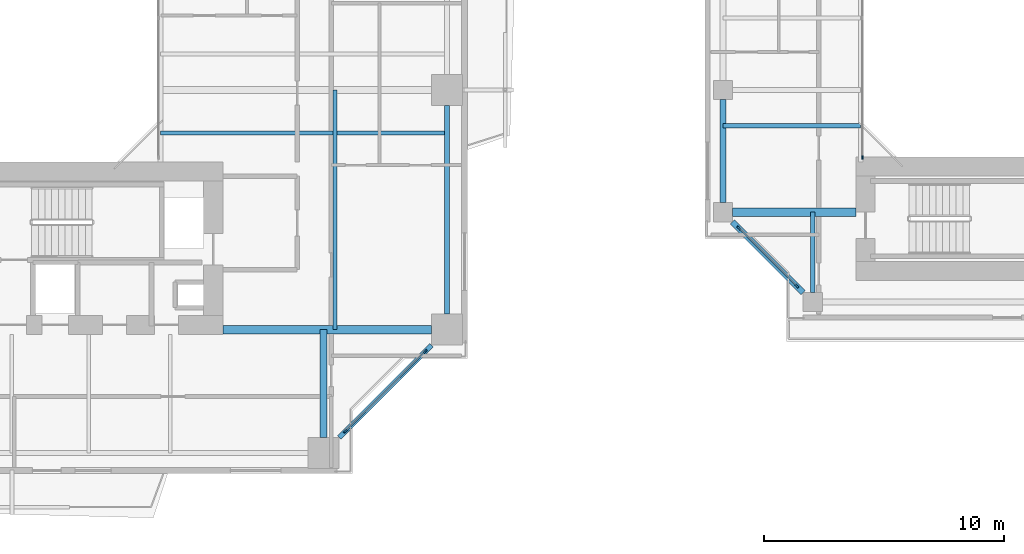
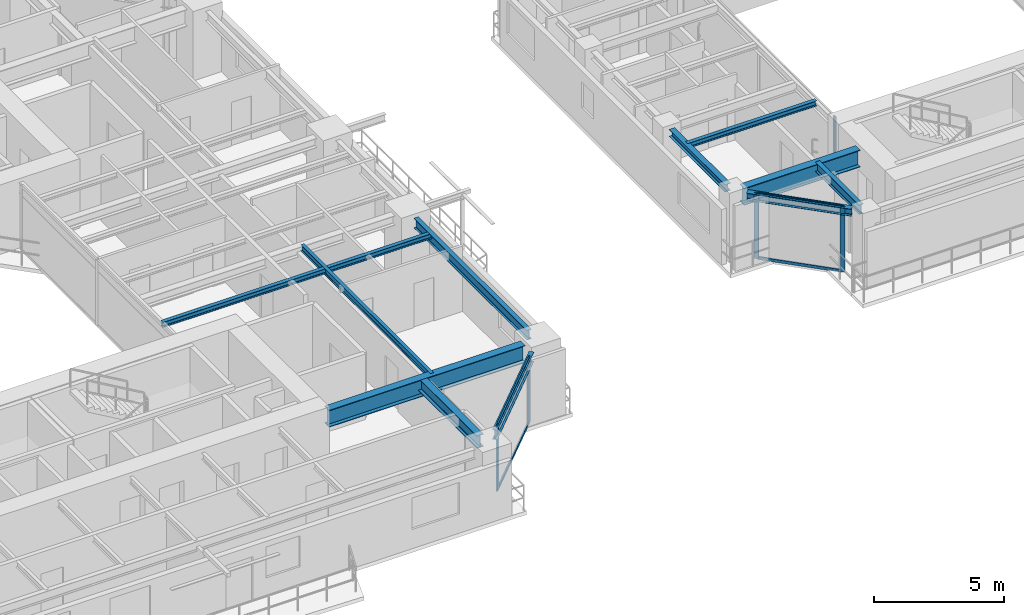
# One storey, part 5 of 24: 11 beams, 9 members, 3 elements without a shape of their own.
"""IFC4 building model written with IfcOpenShell, lengths in metres."""

from ifc_helpers import new_model, si_unit, direction, frame, origin, origin_2d, place, context, subcontext, project, spatial, rectangle, i_section, extrude, source, transform, mapped, material, layer, layer_set, material_profile, profile_set, type_object, element, aggregate, save


model = new_model("IFC4")

# Units and contexts
model_context = context("Model", 3, precision=1e-05, world=origin(), true_north=direction((0.0, 1.0)))
body_context = subcontext(model_context, "Body", "Model", "MODEL_VIEW")
ifc_project = project(units=[si_unit("LENGTHUNIT", "METRE"), si_unit("AREAUNIT", "SQUARE_METRE"), si_unit("VOLUMEUNIT", "CUBIC_METRE"), si_unit("PLANEANGLEUNIT", "RADIAN"), si_unit("MASSUNIT", "GRAM", prefix="KILO"), si_unit("THERMODYNAMICTEMPERATUREUNIT", "KELVIN"), si_unit("POWERUNIT", "WATT")], contexts=[model_context])

# Site, building, storey
site_placement = place(None, origin())
site = spatial("IfcSite", under=ifc_project, at=site_placement, CompositionType="ELEMENT")
building_placement = place(site_placement, origin())
building = spatial("IfcBuilding", under=site, at=building_placement, Name="Qiaomeng Ring Towers", CompositionType="ELEMENT")
storey_placement = place(building_placement, frame((0.0, 0.0, 69.75)))
storey = spatial("IfcBuildingStorey", under=building, at=storey_placement, Name="L19", CompositionType="ELEMENT", Elevation=69.75)

# Beams
ifc_material_1 = material(Name="Steel Q355B", Category="steel")
ifc_material_profile_1 = material_profile(ifc_material_1, i_section(OverallWidth=0.199951171875, OverallDepth=0.449951171875, WebThickness=0.009033203125, FlangeThickness=0.013916015625, FilletRadius=0.01806640625, at=origin_2d()), Name="HN 450x200x9x14")
ifc_profile_set_1 = profile_set([ifc_material_profile_1], Name="Steel Q355B")
beam_type_1 = type_object("IfcBeamType", Name="STR-BM-HN450", PredefinedType="SPANDREL", material=ifc_profile_set_1)
shared_shape_1 = source(origin(), body_context, "Body", "SweptSolid", [
    extrude(i_section(OverallWidth=0.199951171875, OverallDepth=0.449951171875, WebThickness=0.009033203125, FlangeThickness=0.013916015625, FilletRadius=0.01806640625, at=origin_2d()), origin(), (0.0, 0.0, 1.0), 5.446533203125),
])
beam_1_placement = place(storey_placement, frame((32.6494140625, 5.499267578125, 2.844970703125), z_axis=(0.707106781187, 0.707106781187, 0.0), x_axis=(-0.707106781187, 0.707106781187, 0.0)))
element("IfcBeam", 1, at=beam_1_placement, inside=storey, type_object=beam_type_1, Name="L19 beam STR-SP-L19-T1-S2-E1", PredefinedType="SPANDREL", context=body_context, shape_type="MappedRepresentation", body=[
    mapped(shared_shape_1, transform((0.0, 0.0, 0.0), x_axis=(1.0, 0.0, 0.0), y_axis=(0.0, 1.0, 0.0), z_axis=(0.0, 0.0, 1.0), scale=1.0)),
])
shared_shape_2 = source(origin(), body_context, "Body", "SweptSolid", [
    extrude(i_section(OverallWidth=0.199951171875, OverallDepth=0.449951171875, WebThickness=0.009033203125, FlangeThickness=0.013916015625, FilletRadius=0.01806640625, at=origin_2d()), origin(), (0.0, 0.0, 1.0), 8.7021484375),
])
beam_2_placement = place(storey_placement, frame((37.14990234375, 10.64892578125, 2.844970703125), z_axis=(0.0, 1.0, 0.0), x_axis=(-1.0, 0.0, 0.0)))
element("IfcBeam", 2, at=beam_2_placement, inside=storey, type_object=beam_type_1, Name="L19 beam STR-SP-L19-T1-E1-E2", PredefinedType="SPANDREL", context=body_context, shape_type="MappedRepresentation", body=[
    mapped(shared_shape_2, transform((0.0, 0.0, 0.0), x_axis=(1.0, 0.0, 0.0), y_axis=(0.0, 1.0, 0.0), z_axis=(0.0, 0.0, 1.0), scale=1.0)),
])
ifc_material_2 = material(Name="Steel Q390GJC", Category="steel")
ifc_material_profile_2 = material_profile(ifc_material_2, i_section(OverallWidth=0.35009765625, OverallDepth=0.800048828125, WebThickness=0.01611328125, FlangeThickness=0.028076171875, at=origin_2d()), Name="WH 800x350x16x28")
ifc_profile_set_2 = profile_set([ifc_material_profile_2], Name="Steel Q390GJC")
beam_type_2 = type_object("IfcBeamType", Name="STR-BM-WH800", PredefinedType="BEAM", material=ifc_profile_set_2)
shared_shape_3 = source(origin(), body_context, "Body", "SweptSolid", [
    extrude(i_section(OverallWidth=0.35009765625, OverallDepth=0.800048828125, WebThickness=0.01611328125, FlangeThickness=0.028076171875, at=origin_2d()), origin(), (0.0, 0.0, 1.0), 8.700927734375),
])
beam_3_placement = place(storey_placement, frame((27.800048828125, 10.0, 2.669921875), z_axis=(1.0, 0.0, 0.0), x_axis=(0.0, 1.0, 0.0)))
element("IfcBeam", 3, at=beam_3_placement, inside=storey, type_object=beam_type_2, Name="L19 beam STR-BM-L19-T1-RAD-E1", PredefinedType="BEAM", context=body_context, shape_type="MappedRepresentation", body=[
    mapped(shared_shape_3, transform((0.0, 0.0, 0.0), x_axis=(1.0, 0.0, 0.0), y_axis=(0.0, 1.0, 0.0), z_axis=(0.0, 0.0, 1.0), scale=1.0)),
])
ifc_material_profile_3 = material_profile(ifc_material_1, i_section(OverallWidth=0.300048828125, OverallDepth=0.587890625, WebThickness=0.011962890625, FlangeThickness=0.02001953125, FilletRadius=0.028076171875, at=origin_2d()), Name="HM 588x300x12x20")
ifc_profile_set_3 = profile_set([ifc_material_profile_3], Name="Steel Q355B")
beam_type_3 = type_object("IfcBeamType", Name="STR-BM-HM588", PredefinedType="BEAM", material=ifc_profile_set_3)
shared_shape_4 = source(origin(), body_context, "Body", "SweptSolid", [
    extrude(i_section(OverallWidth=0.300048828125, OverallDepth=0.587890625, WebThickness=0.011962890625, FlangeThickness=0.02001953125, FilletRadius=0.028076171875, at=origin_2d()), origin(), (0.0, 0.0, 1.0), 4.5009765625),
])
beam_4_placement = place(storey_placement, frame((32.0, 5.4990234375, 2.77587890625), z_axis=(0.0, 1.0, 0.0), x_axis=(-1.0, 0.0, 0.0)))
element("IfcBeam", 4, at=beam_4_placement, inside=storey, type_object=beam_type_3, Name="L19 beam STR-BM-L19-T1-RAD-S2", PredefinedType="BEAM", context=body_context, shape_type="MappedRepresentation", body=[
    mapped(shared_shape_4, transform((0.0, 0.0, 0.0), x_axis=(1.0, 0.0, 0.0), y_axis=(0.0, 1.0, 0.0), z_axis=(0.0, 0.0, 1.0), scale=1.0)),
])
ifc_material_profile_4 = material_profile(ifc_material_1, i_section(OverallWidth=0.175048828125, OverallDepth=0.243896484375, WebThickness=0.007080078125, FlangeThickness=0.010986328125, FilletRadius=0.01611328125, at=origin_2d()), Name="HM 244x175x7x11")
ifc_profile_set_4 = profile_set([ifc_material_profile_4], Name="Steel Q355B")
beam_type_4 = type_object("IfcBeamType", Name="STR-BM-HM244", PredefinedType="JOIST", material=ifc_profile_set_4)
shared_shape_5 = source(origin(), body_context, "Body", "SweptSolid", [
    extrude(i_section(OverallWidth=0.175048828125, OverallDepth=0.243896484375, WebThickness=0.007080078125, FlangeThickness=0.010986328125, FilletRadius=0.01611328125, at=origin_2d()), origin(), (0.0, 0.0, 1.0), 11.949951171875),
])
beam_5_placement = place(storey_placement, frame((25.199951171875, 18.199951171875, 2.947998046875), z_axis=(1.0, 0.0, 0.0), x_axis=(0.0, 1.0, 0.0)))
element("IfcBeam", 5, at=beam_5_placement, inside=storey, type_object=beam_type_4, Name="L19 beam STR-JST-L19-T1E-1", PredefinedType="JOIST", context=body_context, shape_type="MappedRepresentation", body=[
    mapped(shared_shape_5, transform((0.0, 0.0, 0.0), x_axis=(1.0, 0.0, 0.0), y_axis=(0.0, 1.0, 0.0), z_axis=(0.0, 0.0, 1.0), scale=1.0)),
])
ifc_material_profile_5 = material_profile(ifc_material_1, i_section(OverallWidth=0.14990234375, OverallDepth=0.300048828125, WebThickness=0.006591796875, FlangeThickness=0.009033203125, FilletRadius=0.012939453125, at=origin_2d()), Name="HN 300x150x6.5x9")
ifc_profile_set_5 = profile_set([ifc_material_profile_5], Name="Steel Q355B")
beam_type_5 = type_object("IfcBeamType", Name="STR-BM-HN300", PredefinedType="JOIST", material=ifc_profile_set_5)
shared_shape_6 = source(origin(), body_context, "Body", "SweptSolid", [
    extrude(i_section(OverallWidth=0.14990234375, OverallDepth=0.300048828125, WebThickness=0.006591796875, FlangeThickness=0.009033203125, FilletRadius=0.012939453125, at=origin_2d()), origin(), (0.0, 0.0, 1.0), 10.0),
])
beam_6_placement = place(storey_placement, frame((32.47509765625, 10.0, 2.919921875), z_axis=(0.0, 1.0, 0.0), x_axis=(-1.0, 0.0, 0.0)))
element("IfcBeam", 6, at=beam_6_placement, inside=storey, type_object=beam_type_5, Name="L19 beam STR-JST-L19-T1C-ES", PredefinedType="JOIST", context=body_context, shape_type="MappedRepresentation", body=[
    mapped(shared_shape_6, transform((0.0, 0.0, 0.0), x_axis=(1.0, 0.0, 0.0), y_axis=(0.0, 1.0, 0.0), z_axis=(0.0, 0.0, 1.0), scale=1.0)),
])
ifc_material_profile_6 = material_profile(ifc_material_1, i_section(OverallWidth=0.25, OverallDepth=0.340087890625, WebThickness=0.009033203125, FlangeThickness=0.013916015625, FilletRadius=0.02001953125, at=origin_2d()), Name="HM 340x250x9x14")
ifc_profile_set_6 = profile_set([ifc_material_profile_6], Name="Steel Q355B")
beam_type_6 = type_object("IfcBeamType", Name="STR-BM-HM340", PredefinedType="SPANDREL", material=ifc_profile_set_6)
shared_shape_7 = source(origin(), body_context, "Body", "SweptSolid", [
    extrude(i_section(OverallWidth=0.25, OverallDepth=0.340087890625, WebThickness=0.009033203125, FlangeThickness=0.013916015625, FilletRadius=0.02001953125, at=origin_2d()), origin(), (0.0, 0.0, 1.0), 4.173828125),
])
beam_7_placement = place(storey_placement, frame((49.04931640625, 14.500732421875, 2.89990234375), z_axis=(0.707106781187, -0.707106781187, 0.0), x_axis=(0.707106781187, 0.707106781187, 0.0)))
element("IfcBeam", 7, at=beam_7_placement, inside=storey, type_object=beam_type_6, Name="L19 beam STR-SP-L19-T2-W1-S1", PredefinedType="SPANDREL", context=body_context, shape_type="MappedRepresentation", body=[
    mapped(shared_shape_7, transform((0.0, 0.0, 0.0), x_axis=(1.0, 0.0, 0.0), y_axis=(0.0, 1.0, 0.0), z_axis=(0.0, 0.0, 1.0), scale=1.0)),
])
shared_shape_8 = source(origin(), body_context, "Body", "SweptSolid", [
    extrude(i_section(OverallWidth=0.25, OverallDepth=0.340087890625, WebThickness=0.009033203125, FlangeThickness=0.013916015625, FilletRadius=0.02001953125, at=origin_2d()), origin(), (0.0, 0.0, 1.0), 4.302001953125),
])
beam_8_placement = place(storey_placement, frame((48.64990234375, 19.60107421875, 2.89990234375), z_axis=(0.0, -1.0, 0.0), x_axis=(1.0, 0.0, 0.0)))
element("IfcBeam", 8, at=beam_8_placement, inside=storey, type_object=beam_type_6, Name="L19 beam STR-SP-L19-T2-W2-W1", PredefinedType="SPANDREL", context=body_context, shape_type="MappedRepresentation", body=[
    mapped(shared_shape_8, transform((0.0, 0.0, 0.0), x_axis=(1.0, 0.0, 0.0), y_axis=(0.0, 1.0, 0.0), z_axis=(0.0, 0.0, 1.0), scale=1.0)),
])
shared_shape_9 = source(origin(), body_context, "Body", "SweptSolid", [
    extrude(i_section(OverallWidth=0.35009765625, OverallDepth=0.800048828125, WebThickness=0.01611328125, FlangeThickness=0.028076171875, at=origin_2d()), origin(), (0.0, 0.0, 1.0), 5.15087890625),
])
beam_9_placement = place(storey_placement, frame((49.049072265625, 14.89990234375, 2.669921875), z_axis=(1.0, 0.0, 0.0), x_axis=(0.0, 1.0, 0.0)))
element("IfcBeam", 9, at=beam_9_placement, inside=storey, type_object=beam_type_2, Name="L19 beam STR-BM-L19-T2-RAD-W1", PredefinedType="BEAM", context=body_context, shape_type="MappedRepresentation", body=[
    mapped(shared_shape_9, transform((0.0, 0.0, 0.0), x_axis=(1.0, 0.0, 0.0), y_axis=(0.0, 1.0, 0.0), z_axis=(0.0, 0.0, 1.0), scale=1.0)),
])
shared_shape_10 = source(origin(), body_context, "Body", "SweptSolid", [
    extrude(i_section(OverallWidth=0.199951171875, OverallDepth=0.449951171875, WebThickness=0.009033203125, FlangeThickness=0.013916015625, FilletRadius=0.01806640625, at=origin_2d()), origin(), (0.0, 0.0, 1.0), 3.350830078125),
])
beam_10_placement = place(storey_placement, frame((52.39990234375, 11.549072265625, 2.844970703125), z_axis=(0.0, 1.0, 0.0), x_axis=(-1.0, 0.0, 0.0)))
element("IfcBeam", 10, at=beam_10_placement, inside=storey, type_object=beam_type_1, Name="L19 beam STR-BM-L19-T2-RAD-S1", PredefinedType="SPANDREL", context=body_context, shape_type="MappedRepresentation", body=[
    mapped(shared_shape_10, transform((0.0, 0.0, 0.0), x_axis=(1.0, 0.0, 0.0), y_axis=(0.0, 1.0, 0.0), z_axis=(0.0, 0.0, 1.0), scale=1.0)),
])
shared_shape_11 = source(origin(), body_context, "Body", "SweptSolid", [
    extrude(i_section(OverallWidth=0.175048828125, OverallDepth=0.243896484375, WebThickness=0.007080078125, FlangeThickness=0.010986328125, FilletRadius=0.01611328125, at=origin_2d()), origin(), (0.0, 0.0, 1.0), 5.75),
])
beam_11_placement = place(storey_placement, frame((48.64990234375, 18.5, 2.947998046875), z_axis=(1.0, 0.0, 0.0), x_axis=(0.0, 1.0, 0.0)))
element("IfcBeam", 11, at=beam_11_placement, inside=storey, type_object=beam_type_4, Name="L19 beam STR-JST-L19-T2W-1", PredefinedType="JOIST", context=body_context, shape_type="MappedRepresentation", body=[
    mapped(shared_shape_11, transform((0.0, 0.0, 0.0), x_axis=(1.0, 0.0, 0.0), y_axis=(0.0, 1.0, 0.0), z_axis=(0.0, 0.0, 1.0), scale=1.0)),
])

# Curtain wall, member
ifc_material_3 = material(Name="Fluorocarbon dark-grey aluminium", Category="aluminium")
ifc_layer_1 = layer(ifc_material_3, 0.139892578125, Name="Fluorocarbon dark-grey aluminium")
ifc_layer_set_1 = layer_set([ifc_layer_1], Name="Fluorocarbon dark-grey aluminium")
curtain_wall_type_1 = type_object("IfcCurtainWallType", Name="ARC-CW-4", PredefinedType="NOTDEFINED", material=ifc_layer_set_1)
curtain_wall_1_placement = place(storey_placement, origin())
curtain_wall_1 = element("IfcCurtainWall", 12, at=curtain_wall_1_placement, inside=storey, type_object=curtain_wall_type_1, Name="L19 Curtain Wall CW4", PredefinedType="NOTDEFINED")
ifc_material_profile_7 = material_profile(ifc_material_3, rectangle(XDim=0.06494140625, YDim=0.159912109375, at=origin_2d()), Name="ALU MULL 65x160")
ifc_profile_set_7 = profile_set([ifc_material_profile_7], Name="Fluorocarbon dark-grey aluminium")
member_type_1 = type_object("IfcMemberType", Name="ARC-CWM-140", PredefinedType="MULLION", material=ifc_profile_set_7)
shared_shape_12 = source(origin(), body_context, "Body", "SweptSolid", [
    extrude(rectangle(XDim=0.06494140625, YDim=0.159912109375, at=origin_2d()), origin(), (0.0, 0.0, 1.0), 3.070068359375),
])
member_1_placement = place(storey_placement, frame((54.47998046875, 17.1826171875, 0.0), z_axis=(0.0, 0.0, 1.0), x_axis=(-1.0, 0.0, 0.0)))
member_1 = element("IfcMember", 13, at=member_1_placement, type_object=member_type_1, Name="CW4 mullion 1", PredefinedType="MULLION", context=body_context, shape_type="MappedRepresentation", body=[
    mapped(shared_shape_12, transform((0.0, 0.0, 0.0), x_axis=(1.0, 0.0, 0.0), y_axis=(0.0, 1.0, 0.0), z_axis=(0.0, 0.0, 1.0), scale=1.0)),
])
aggregate(curtain_wall_1, [member_1])

# Curtain wall, members
ifc_layer_2 = layer(ifc_material_3, 0.159912109375, Name="Fluorocarbon dark-grey aluminium")
ifc_layer_set_2 = layer_set([ifc_layer_2], Name="Fluorocarbon dark-grey aluminium")
curtain_wall_type_2 = type_object("IfcCurtainWallType", Name="ARC-CW-2", PredefinedType="NOTDEFINED", material=ifc_layer_set_2)
curtain_wall_2_placement = place(storey_placement, origin())
curtain_wall_2 = element("IfcCurtainWall", 14, at=curtain_wall_2_placement, inside=storey, type_object=curtain_wall_type_2, Name="L19 Curtain Wall CW2", PredefinedType="NOTDEFINED")
ifc_material_profile_8 = material_profile(ifc_material_3, rectangle(XDim=0.070068359375, YDim=0.179931640625, at=origin_2d()), Name="ALU MULL 70x180")
ifc_profile_set_8 = profile_set([ifc_material_profile_8], Name="Fluorocarbon dark-grey aluminium")
member_type_2 = type_object("IfcMemberType", Name="ARC-CWM-160", PredefinedType="MULLION", material=ifc_profile_set_8)
shared_shape_13 = source(origin(), body_context, "Body", "SweptSolid", [
    extrude(rectangle(XDim=0.070068359375, YDim=0.179931640625, at=origin_2d()), origin(), (0.0, 0.0, 1.0), 3.070068359375),
])
member_2_placement = place(storey_placement, frame((32.914794921875, 5.7646484375, 0.0), z_axis=(0.0, 0.0, 1.0), x_axis=(-0.707106781187, 0.707106781187, 0.0)))
member_2 = element("IfcMember", 15, at=member_2_placement, type_object=member_type_2, Name="CW2 mullion 1", PredefinedType="MULLION", context=body_context, shape_type="MappedRepresentation", body=[
    mapped(shared_shape_13, transform((0.0, 0.0, 0.0), x_axis=(1.0, 0.0, 0.0), y_axis=(0.0, 1.0, 0.0), z_axis=(0.0, 0.0, 1.0), scale=1.0)),
])
member_3_placement = place(storey_placement, frame((36.2353515625, 9.085205078125, 0.0), z_axis=(0.0, 0.0, 1.0), x_axis=(-0.707106781187, 0.707106781187, 0.0)))
member_3 = element("IfcMember", 16, at=member_3_placement, type_object=member_type_2, Name="CW2 mullion 2", PredefinedType="MULLION", context=body_context, shape_type="MappedRepresentation", body=[
    mapped(shared_shape_13, transform((0.0, 0.0, 0.0), x_axis=(1.0, 0.0, 0.0), y_axis=(0.0, 1.0, 0.0), z_axis=(0.0, 0.0, 1.0), scale=1.0)),
])

ifc_layer_3 = layer(ifc_material_3, 0.14990234375, Name="Fluorocarbon dark-grey aluminium")
ifc_layer_set_3 = layer_set([ifc_layer_3], Name="Fluorocarbon dark-grey aluminium")
curtain_wall_type_3 = type_object("IfcCurtainWallType", Name="ARC-CW-5", PredefinedType="NOTDEFINED", material=ifc_layer_set_3)
curtain_wall_3_placement = place(storey_placement, origin())
curtain_wall_3 = element("IfcCurtainWall", 17, at=curtain_wall_3_placement, inside=storey, type_object=curtain_wall_type_3, Name="L19 Curtain Wall CW5", PredefinedType="NOTDEFINED")
member_4_placement = place(storey_placement, frame((49.314697265625, 14.2353515625, 0.0), z_axis=(0.0, 0.0, 1.0), x_axis=(0.707106781187, 0.707106781187, 0.0)))
member_4 = element("IfcMember", 18, at=member_4_placement, type_object=member_type_2, Name="CW5 mullion 1", PredefinedType="MULLION", context=body_context, shape_type="MappedRepresentation", body=[
    mapped(shared_shape_13, transform((0.0, 0.0, 0.0), x_axis=(1.0, 0.0, 0.0), y_axis=(0.0, 1.0, 0.0), z_axis=(0.0, 0.0, 1.0), scale=1.0)),
])
member_5_placement = place(storey_placement, frame((51.7353515625, 11.814697265625, 0.0), z_axis=(0.0, 0.0, 1.0), x_axis=(0.707106781187, 0.707106781187, 0.0)))
member_5 = element("IfcMember", 19, at=member_5_placement, type_object=member_type_2, Name="CW5 mullion 2", PredefinedType="MULLION", context=body_context, shape_type="MappedRepresentation", body=[
    mapped(shared_shape_13, transform((0.0, 0.0, 0.0), x_axis=(1.0, 0.0, 0.0), y_axis=(0.0, 1.0, 0.0), z_axis=(0.0, 0.0, 1.0), scale=1.0)),
])

# Member
ifc_material_profile_9 = material_profile(ifc_material_3, rectangle(XDim=0.06494140625, YDim=0.1298828125, at=origin_2d()), Name="ALU TRAN 65x130")
ifc_profile_set_9 = profile_set([ifc_material_profile_9], Name="Fluorocarbon dark-grey aluminium")
member_type_3 = type_object("IfcMemberType", Name="ARC-CWT-120", PredefinedType="USERDEFINED", material=ifc_profile_set_9)
shared_shape_14 = source(origin(), body_context, "Body", "SweptSolid", [
    extrude(rectangle(XDim=0.06494140625, YDim=0.1298828125, at=origin_2d()), origin(), (0.0, 0.0, 1.0), 4.6259765625),
])
member_6_placement = place(storey_placement, frame((32.939453125, 5.78955078125, 0.032470703125), z_axis=(0.707106781187, 0.707106781187, 0.0), x_axis=(-0.707106781187, 0.707106781187, 0.0)))
member_6 = element("IfcMember", 20, at=member_6_placement, type_object=member_type_3, Name="CW2 transom 1.1", ObjectType="TRANSOM", PredefinedType="USERDEFINED", context=body_context, shape_type="MappedRepresentation", body=[
    mapped(shared_shape_14, transform((0.0, 0.0, 0.0), x_axis=(1.0, 0.0, 0.0), y_axis=(0.0, 1.0, 0.0), z_axis=(0.0, 0.0, 1.0), scale=1.0)),
])

member_7_placement = place(storey_placement, frame((32.939453125, 5.78955078125, 3.03759765625), z_axis=(0.707106781187, 0.707106781187, 0.0), x_axis=(-0.707106781187, 0.707106781187, 0.0)))
member_7 = element("IfcMember", 21, at=member_7_placement, type_object=member_type_3, Name="CW2 transom 1.2", ObjectType="TRANSOM", PredefinedType="USERDEFINED", context=body_context, shape_type="MappedRepresentation", body=[
    mapped(shared_shape_14, transform((0.0, 0.0, 0.0), x_axis=(1.0, 0.0, 0.0), y_axis=(0.0, 1.0, 0.0), z_axis=(0.0, 0.0, 1.0), scale=1.0)),
])

aggregate(curtain_wall_2, [member_2, member_3, member_6, member_7])

shared_shape_15 = source(origin(), body_context, "Body", "SweptSolid", [
    extrude(rectangle(XDim=0.06494140625, YDim=0.1298828125, at=origin_2d()), origin(), (0.0, 0.0, 1.0), 3.352783203125),
])
member_8_placement = place(storey_placement, frame((49.339599609375, 14.21044921875, 0.032470703125), z_axis=(0.707106781187, -0.707106781187, 0.0), x_axis=(0.707106781187, 0.707106781187, 0.0)))
member_8 = element("IfcMember", 22, at=member_8_placement, type_object=member_type_3, Name="CW5 transom 1.1", ObjectType="TRANSOM", PredefinedType="USERDEFINED", context=body_context, shape_type="MappedRepresentation", body=[
    mapped(shared_shape_15, transform((0.0, 0.0, 0.0), x_axis=(1.0, 0.0, 0.0), y_axis=(0.0, 1.0, 0.0), z_axis=(0.0, 0.0, 1.0), scale=1.0)),
])

member_9_placement = place(storey_placement, frame((49.339599609375, 14.21044921875, 3.03759765625), z_axis=(0.707106781187, -0.707106781187, 0.0), x_axis=(0.707106781187, 0.707106781187, 0.0)))
member_9 = element("IfcMember", 23, at=member_9_placement, type_object=member_type_3, Name="CW5 transom 1.2", ObjectType="TRANSOM", PredefinedType="USERDEFINED", context=body_context, shape_type="MappedRepresentation", body=[
    mapped(shared_shape_15, transform((0.0, 0.0, 0.0), x_axis=(1.0, 0.0, 0.0), y_axis=(0.0, 1.0, 0.0), z_axis=(0.0, 0.0, 1.0), scale=1.0)),
])

aggregate(curtain_wall_3, [member_4, member_5, member_8, member_9])

save(model, "model.ifc")
